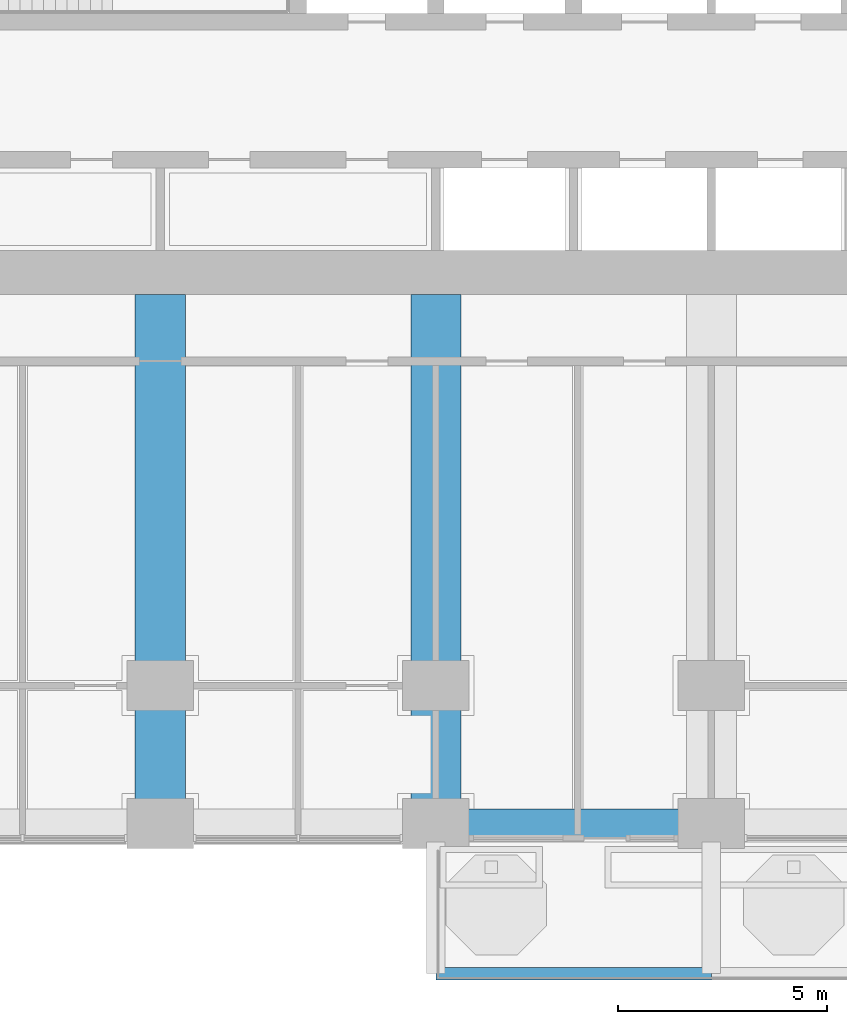
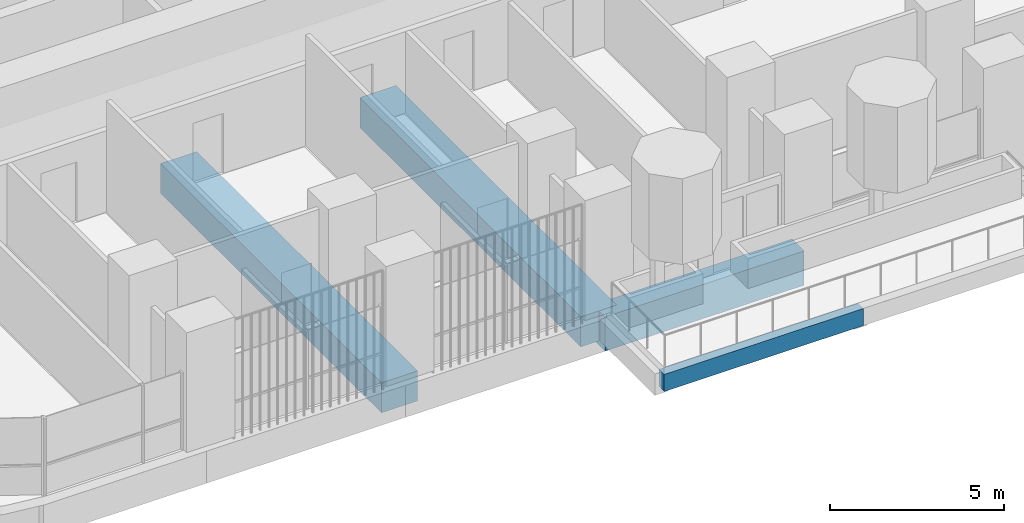
# One storey, part 3 of 22: 4 beams.
"""IFC4 building model written with IfcOpenShell, lengths in metres."""

from ifc_helpers import new_model, si_unit, direction, frame, origin, origin_2d, place, context, subcontext, project, spatial, rectangle, extrude, material, material_profile, profile_set, type_object, element, save


model = new_model("IFC4")

# Units and contexts
model_context = context("Model", 3, precision=1e-05, world=origin(), true_north=direction((0.0, 1.0)))
body_context = subcontext(model_context, "Body", "Model", "MODEL_VIEW")
ifc_project = project(units=[si_unit("LENGTHUNIT", "METRE"), si_unit("AREAUNIT", "SQUARE_METRE"), si_unit("VOLUMEUNIT", "CUBIC_METRE"), si_unit("PLANEANGLEUNIT", "RADIAN"), si_unit("MASSUNIT", "GRAM", prefix="KILO")], contexts=[model_context])

# Site, building, storey
site_placement = place(None, origin())
site = spatial("IfcSite", under=ifc_project, at=site_placement, CompositionType="ELEMENT")
building_placement = place(site_placement, origin())
building = spatial("IfcBuilding", under=site, at=building_placement, Name="Cobogo Forest Laboratory Tower", CompositionType="ELEMENT")
storey_placement = place(building_placement, frame((0.0, 0.0, 94.800048828125)))
storey = spatial("IfcBuildingStorey", under=building, at=storey_placement, Name="L21", CompositionType="ELEMENT", Elevation=94.800048828125)

# Beams
ifc_material = material(Name="Concrete HA-40 (C40/50)", Category="concrete")
ifc_material_profile_1 = material_profile(ifc_material, rectangle(XDim=0.300048828125, YDim=0.60009765625, at=origin_2d()), Name="RC 300x600")
ifc_profile_set_1 = profile_set([ifc_material_profile_1], Name="Concrete HA-40 (C40/50)")
beam_type_1 = type_object("IfcBeamType", Name="Balcony edge beam 300x600", PredefinedType="BEAM", material=ifc_profile_set_1)
beam_1_placement = place(storey_placement, frame((26.39990234375, -3.60009765625, -0.550048828125), z_axis=(1.0, 0.0, 0.0), x_axis=(0.0, 1.0, 0.0)))
element("IfcBeam", 1, at=beam_1_placement, inside=storey, type_object=beam_type_1, Name="BB1 BAL-S1-T1 L21", PredefinedType="BEAM", context=body_context, shape_type="SweptSolid", body=[
    extrude(rectangle(XDim=0.300048828125, YDim=0.60009765625, at=origin_2d()), origin(), (0.0, 0.0, 1.0), 6.60009765625),
])
ifc_material_profile_2 = material_profile(ifc_material, rectangle(XDim=1.199951171875, YDim=1.050048828125, at=origin_2d()), Name="RC 1200x1050")
ifc_profile_set_2 = profile_set([ifc_material_profile_2], Name="Concrete HA-40 (C40/50)")
beam_type_2 = type_object("IfcBeamType", Name="Laboratory floor wide beam 1200x1050", PredefinedType="BEAM", material=ifc_profile_set_2)
for number, where, z_axis, x_axis, name in (
    (2, (19.800048828125, 12.675048828125, -0.824951171875), (0.0, -1.0, 0.0), (1.0, 0.0, 0.0), "RB1 R-4-S L21"),
    (3, (26.39990234375, 12.675048828125, -0.824951171875), (0.0, -1.0, 0.0), (1.0, 0.0, 0.0), "RB1 R-5-S L21"),
):
    element("IfcBeam", number, at=place(storey_placement, frame(where, z_axis=z_axis, x_axis=x_axis)), inside=storey, type_object=beam_type_2, Name=name, PredefinedType="BEAM", context=body_context, shape_type="SweptSolid", body=[
        extrude(rectangle(XDim=1.199951171875, YDim=1.050048828125, at=origin_2d()), origin(), (0.0, 0.0, 1.0), 12.675048828125),
    ])
ifc_material_profile_3 = material_profile(ifc_material, rectangle(XDim=0.699951171875, YDim=1.199951171875, at=origin_2d()), Name="RC 700x1200")
ifc_profile_set_3 = profile_set([ifc_material_profile_3], Name="Concrete HA-40 (C40/50)")
beam_type_3 = type_object("IfcBeamType", Name="Perimeter edge beam 700x1200", PredefinedType="BEAM", material=ifc_profile_set_3)
beam_2_placement = place(storey_placement, frame((26.39990234375, 0.0, -0.900146484375), z_axis=(1.0, 0.0, 0.0), x_axis=(0.0, 1.0, 0.0)))
element("IfcBeam", 4, at=beam_2_placement, inside=storey, type_object=beam_type_3, Name="EB1 E-S3 L21", PredefinedType="BEAM", context=body_context, shape_type="SweptSolid", body=[
    extrude(rectangle(XDim=0.699951171875, YDim=1.199951171875, at=origin_2d()), origin(), (0.0, 0.0, 1.0), 6.60009765625),
])

save(model, "model.ifc")
